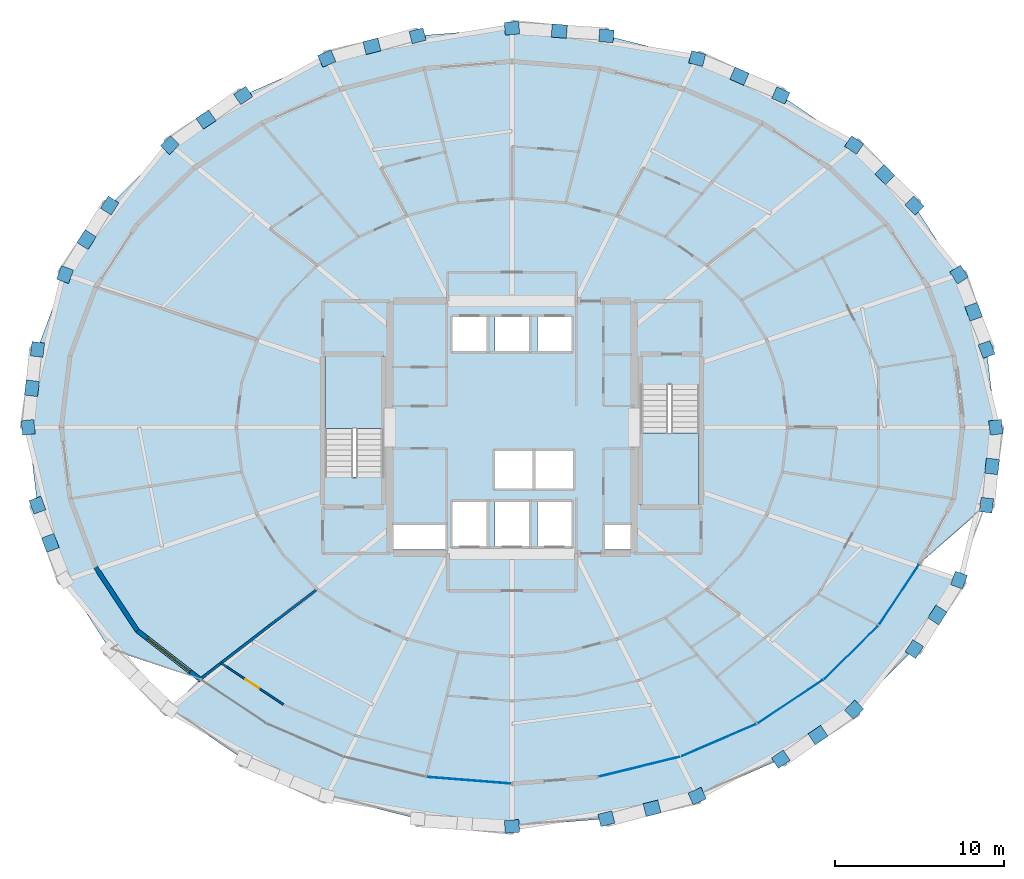
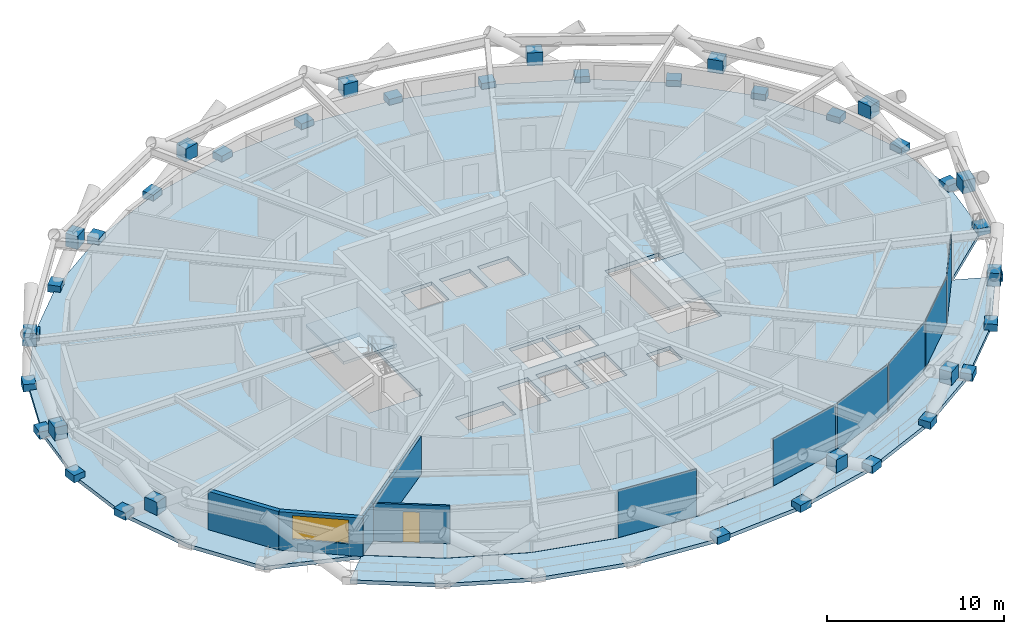
# One storey, part 10 of 17: 45 plates, 4 slabs, 4 walls, 1 door, 1 window, 2 openings, 4 elements without a shape of their own.
"""IFC4 building model written with IfcOpenShell, lengths in metres."""

from ifc_helpers import new_model, si_unit, direction, frame, frame_2d, origin, origin_2d, place, context, subcontext, project, spatial, polyline, rectangle, outline, extrude, material, layer, layer_set, type_object, element, fill, aggregate, save


model = new_model("IFC4")

# Units and contexts
model_context = context("Model", 3, precision=1e-05, world=origin(), true_north=direction((0.0, 1.0)))
body_context = subcontext(model_context, "Body", "Model", "MODEL_VIEW")
ifc_project = project(units=[si_unit("LENGTHUNIT", "METRE"), si_unit("AREAUNIT", "SQUARE_METRE"), si_unit("VOLUMEUNIT", "CUBIC_METRE"), si_unit("PLANEANGLEUNIT", "RADIAN"), si_unit("MASSUNIT", "GRAM", prefix="KILO")], contexts=[model_context])

# Site, building, storey
site_placement = place(None, origin())
site = spatial("IfcSite", under=ifc_project, at=site_placement, CompositionType="ELEMENT")
building_placement = place(site_placement, origin())
building = spatial("IfcBuilding", under=site, at=building_placement, Name="Veldorina Hangang Commons", CompositionType="ELEMENT")
storey_placement = place(building_placement, frame((0.0, 0.0, 55.60009765625)))
storey = spatial("IfcBuildingStorey", under=building, at=storey_placement, Name="L13", CompositionType="ELEMENT", Elevation=55.60009765625)

# Curtain wall, plate
ifc_material_1 = material(Name="Glass Low-E Triple IGU", Category="glass")
ifc_layer_1 = layer(ifc_material_1, 0.179931640625)
ifc_layer_set_1 = layer_set([ifc_layer_1], Name="Glass Low-E Triple IGU")
curtain_wall_type = type_object("IfcCurtainWallType", Name="CW-SYS-Z1", PredefinedType="NOTDEFINED", material=ifc_layer_set_1)
curtain_wall_1_placement = place(storey_placement, origin())
curtain_wall_1 = element("IfcCurtainWall", 1, at=curtain_wall_1_placement, inside=storey, type_object=curtain_wall_type, Name="L13 unitised curtain wall CW-L13-R1", PredefinedType="NOTDEFINED")
ifc_layer_2 = layer(ifc_material_1, 0.0400390625)
ifc_layer_set_2 = layer_set([ifc_layer_2], Name="Glass Low-E Triple IGU")
plate_type_1 = type_object("IfcPlateType", Name="CW-PNL-VIS", PredefinedType="CURTAIN_PANEL", material=ifc_layer_set_2)
plate_1_placement = place(storey_placement, frame((29.459716796875, 3.161376953125, 0.014892578125), z_axis=(0.0, 0.0, 1.0), x_axis=(0.996848485666, -0.079329040235, 0.0)))
plate_1 = element("IfcPlate", 2, at=plate_1_placement, type_object=plate_type_1, Name="CW-L13-R1 facet 4 glazed vision panel", PredefinedType="CURTAIN_PANEL", context=body_context, shape_type="SweptSolid", body=[
    extrude(rectangle(XDim=4.91650390625, YDim=0.0400390625, at=origin_2d()), origin(), (0.0, 0.0, 1.0), 3.27001953125),
])
aggregate(curtain_wall_1, [plate_1])

# Curtain wall, plates
curtain_wall_2_placement = place(storey_placement, origin())
curtain_wall_2 = element("IfcCurtainWall", 3, at=curtain_wall_2_placement, inside=storey, type_object=curtain_wall_type, Name="L13 unitised curtain wall CW-L13-R2", PredefinedType="NOTDEFINED")
plate_2_placement = place(storey_placement, frame((39.522705078125, 3.96240234375, 0.014892578125), z_axis=(0.0, 0.0, 1.0), x_axis=(0.97125073338, 0.238058843376, 0.0)))
plate_2 = element("IfcPlate", 4, at=plate_2_placement, type_object=plate_type_1, Name="CW-L13-R2 facet 1 glazed vision panel", PredefinedType="CURTAIN_PANEL", context=body_context, shape_type="SweptSolid", body=[
    extrude(rectangle(XDim=4.849609375, YDim=0.0400390625, at=origin_2d()), origin(), (0.0, 0.0, 1.0), 3.27001953125),
])
plate_3_placement = place(storey_placement, frame((44.21630859375, 5.533203125, 0.014892578125), z_axis=(0.0, 0.0, 1.0), x_axis=(0.918038583757, 0.396491057571, 0.0)))
plate_3 = element("IfcPlate", 5, at=plate_3_placement, type_object=plate_type_1, Name="CW-L13-R2 facet 2 glazed vision panel", PredefinedType="CURTAIN_PANEL", context=body_context, shape_type="SweptSolid", body=[
    extrude(rectangle(XDim=4.72412109375, YDim=0.0400390625, at=origin_2d()), origin(), (0.0, 0.0, 1.0), 3.27001953125),
])
plate_4_placement = place(storey_placement, frame((48.4404296875, 7.813720703125, 0.014892578125), z_axis=(0.0, 0.0, 1.0), x_axis=(0.833423139847, 0.552635386098, 0.0)))
plate_4 = element("IfcPlate", 6, at=plate_4_placement, type_object=plate_type_1, Name="CW-L13-R2 facet 3 glazed vision panel", PredefinedType="CURTAIN_PANEL", context=body_context, shape_type="SweptSolid", body=[
    extrude(rectangle(XDim=4.554931640625, YDim=0.0400390625, at=origin_2d()), origin(), (0.0, 0.0, 1.0), 3.27001953125),
])
plate_5_placement = place(storey_placement, frame((52.03271484375, 10.71630859375, 0.014892578125), z_axis=(0.0, 0.0, 1.0), x_axis=(0.712601785849, 0.701568738475, 0.0)))
plate_5 = element("IfcPlate", 7, at=plate_5_placement, type_object=plate_type_1, Name="CW-L13-R2 facet 4 glazed vision panel", PredefinedType="CURTAIN_PANEL", context=body_context, shape_type="SweptSolid", body=[
    extrude(rectangle(XDim=4.364501953125, YDim=0.0400390625, at=origin_2d()), origin(), (0.0, 0.0, 1.0), 3.27001953125),
])
plate_6_placement = place(storey_placement, frame((54.855224609375, 14.129150390625, 0.014892578125), z_axis=(0.0, 0.0, 1.0), x_axis=(0.551718655602, 0.834030290254, 0.0)))
plate_6 = element("IfcPlate", 8, at=plate_6_placement, type_object=plate_type_1, Name="CW-L13-R2 facet 5 glazed vision panel", PredefinedType="CURTAIN_PANEL", context=body_context, shape_type="SweptSolid", body=[
    extrude(rectangle(XDim=4.181640625, YDim=0.0400390625, at=origin_2d()), origin(), (0.0, 0.0, 1.0), 3.27001953125),
])
aggregate(curtain_wall_2, [plate_2, plate_3, plate_4, plate_5, plate_6])

# Plates
ifc_material_2 = material(Name="Steel SM460-TMC", Category="steel")
ifc_layer_3 = layer(ifc_material_2, 0.035888671875)
ifc_layer_set_3 = layer_set([ifc_layer_3], Name="Steel SM460-TMC")
plate_type_2 = type_object("IfcPlateType", Name="PL-STAR-36", PredefinedType="USERDEFINED", material=ifc_layer_set_3)
for number, where, z_axis, x_axis, name in (
    (9, (60.560791015625, 24.0, -0.090087890625), (0.0, 0.0, 1.0), (-0.118559941502, 0.992946897005, 0.0), "L13 diagrid star-node gusset plate 00"),
    (10, (60.011962890625, 28.596435546875, -0.090087890625), (0.0, 0.0, 1.0), (-0.345134395808, 0.93855327437, 0.0), "L13 diagrid star-node gusset plate 01"),
):
    element("IfcPlate", number, at=place(storey_placement, frame(where, z_axis=z_axis, x_axis=x_axis)), inside=storey, type_object=plate_type_2, Name=name, ObjectType="GUSSET PLATE", PredefinedType="USERDEFINED", context=body_context, shape_type="SweptSolid", body=[
        extrude(rectangle(XDim=0.85009765625, YDim=0.75, at=origin_2d()), origin(), (0.0, 0.0, 1.0), 0.5),
    ])
plate_7_placement = place(storey_placement, frame((59.252685546875, 30.822509765625, 1.345703125), z_axis=(0.0, 0.0, 1.0), x_axis=(-0.345134395808, 0.93855327437, 0.0)))
element("IfcPlate", 11, at=plate_7_placement, inside=storey, type_object=plate_type_2, Name="L13 diagrid X-crossing star-node gusset plate 01", ObjectType="GUSSET PLATE", PredefinedType="USERDEFINED", context=body_context, shape_type="SweptSolid", body=[
    extrude(rectangle(XDim=0.89990234375, YDim=0.780029296875, at=origin_2d()), origin(), (0.0, 0.0, 1.0), 0.89990234375),
])
for number, where, z_axis, x_axis, name in (
    (12, (58.38671875, 33.016357421875, -0.090087890625), (0.0, 0.0, 1.0), (-0.543760482779, 0.839240452652, 0.0), "L13 diagrid star-node gusset plate 02"),
    (13, (55.747314453125, 37.089599609375, -0.090087890625), (0.0, 0.0, 1.0), (-0.705277905649, 0.708930938669, 0.0), "L13 diagrid star-node gusset plate 03"),
):
    element("IfcPlate", number, at=place(storey_placement, frame(where, z_axis=z_axis, x_axis=x_axis)), inside=storey, type_object=plate_type_2, Name=name, ObjectType="GUSSET PLATE", PredefinedType="USERDEFINED", context=body_context, shape_type="SweptSolid", body=[
        extrude(rectangle(XDim=0.85009765625, YDim=0.75, at=origin_2d()), origin(), (0.0, 0.0, 1.0), 0.5),
    ])
plate_8_placement = place(storey_placement, frame((54.014892578125, 38.910400390625, 1.345947265625), z_axis=(0.0, 0.0, 1.0), x_axis=(-0.705277905649, 0.708930938669, 0.0)))
element("IfcPlate", 14, at=plate_8_placement, inside=storey, type_object=plate_type_2, Name="L13 diagrid X-crossing star-node gusset plate 03", ObjectType="GUSSET PLATE", PredefinedType="USERDEFINED", context=body_context, shape_type="SweptSolid", body=[
    extrude(rectangle(XDim=0.89990234375, YDim=0.780029296875, at=origin_2d()), origin(), (0.0, 0.0, 1.0), 0.89990234375),
])
for number, where, z_axis, x_axis, name in (
    (15, (52.195556640625, 40.659912109375, -0.090087890625), (0.0, 0.0, 1.0), (-0.828079904111, 0.560610089463, 0.0), "L13 diagrid star-node gusset plate 04"),
    (16, (47.867431640625, 43.590087890625, -0.090087890625), (0.0, 0.0, 1.0), (-0.915001921998, 0.403449479788, 0.0), "L13 diagrid star-node gusset plate 05"),
):
    element("IfcPlate", number, at=place(storey_placement, frame(where, z_axis=z_axis, x_axis=x_axis)), inside=storey, type_object=plate_type_2, Name=name, ObjectType="GUSSET PLATE", PredefinedType="USERDEFINED", context=body_context, shape_type="SweptSolid", body=[
        extrude(rectangle(XDim=0.85009765625, YDim=0.75, at=origin_2d()), origin(), (0.0, 0.0, 1.0), 0.5),
    ])
plate_9_placement = place(storey_placement, frame((45.425048828125, 44.72802734375, 1.346435546875), z_axis=(0.0, 0.0, 1.0), x_axis=(-0.915001921998, 0.403449479788, 0.0)))
element("IfcPlate", 17, at=plate_9_placement, inside=storey, type_object=plate_type_2, Name="L13 diagrid X-crossing star-node gusset plate 05", ObjectType="GUSSET PLATE", PredefinedType="USERDEFINED", context=body_context, shape_type="SweptSolid", body=[
    extrude(rectangle(XDim=0.89990234375, YDim=0.780029296875, at=origin_2d()), origin(), (0.0, 0.0, 1.0), 0.89990234375),
])
for number, where, z_axis, x_axis, name in (
    (18, (42.9296875, 45.76708984375, -0.090087890625), (0.0, 0.0, 1.0), (-0.970084240161, 0.242768546132, 0.0), "L13 diagrid star-node gusset plate 06"),
    (19, (37.572021484375, 47.10791015625, -0.090087890625), (0.0, 0.0, 1.0), (-0.996715582943, 0.080981767813, 0.0), "L13 diagrid star-node gusset plate 07"),
):
    element("IfcPlate", number, at=place(storey_placement, frame(where, z_axis=z_axis, x_axis=x_axis)), inside=storey, type_object=plate_type_2, Name=name, ObjectType="GUSSET PLATE", PredefinedType="USERDEFINED", context=body_context, shape_type="SweptSolid", body=[
        extrude(rectangle(XDim=0.85009765625, YDim=0.75, at=origin_2d()), origin(), (0.0, 0.0, 1.0), 0.5),
    ])
plate_10_placement = place(storey_placement, frame((34.79150390625, 47.389892578125, 1.346435546875), z_axis=(0.0, 0.0, 1.0), x_axis=(-0.996715582943, 0.080981767813, 0.0)))
element("IfcPlate", 20, at=plate_10_placement, inside=storey, type_object=plate_type_2, Name="L13 diagrid X-crossing star-node gusset plate 07", ObjectType="GUSSET PLATE", PredefinedType="USERDEFINED", context=body_context, shape_type="SweptSolid", body=[
    extrude(rectangle(XDim=0.89990234375, YDim=0.780029296875, at=origin_2d()), origin(), (0.0, 0.0, 1.0), 0.89990234375),
])
for number, where, z_axis, x_axis, name in (
    (21, (32.0, 47.560791015625, -0.090087890625), (0.0, 0.0, 1.0), (-0.996715582943, -0.080981767813, 0.0), "L13 diagrid star-node gusset plate 08"),
    (22, (26.427978515625, 47.10791015625, -0.090087890625), (0.0, 0.0, 1.0), (-0.970084240161, -0.242768546132, 0.0), "L13 diagrid star-node gusset plate 09"),
):
    element("IfcPlate", number, at=place(storey_placement, frame(where, z_axis=z_axis, x_axis=x_axis)), inside=storey, type_object=plate_type_2, Name=name, ObjectType="GUSSET PLATE", PredefinedType="USERDEFINED", context=body_context, shape_type="SweptSolid", body=[
        extrude(rectangle(XDim=0.85009765625, YDim=0.75, at=origin_2d()), origin(), (0.0, 0.0, 1.0), 0.5),
    ])
plate_11_placement = place(storey_placement, frame((23.733154296875, 46.490478515625, 1.346435546875), z_axis=(0.0, 0.0, 1.0), x_axis=(-0.970084240161, -0.242768546132, 0.0)))
element("IfcPlate", 23, at=plate_11_placement, inside=storey, type_object=plate_type_2, Name="L13 diagrid X-crossing star-node gusset plate 09", ObjectType="GUSSET PLATE", PredefinedType="USERDEFINED", context=body_context, shape_type="SweptSolid", body=[
    extrude(rectangle(XDim=0.89990234375, YDim=0.780029296875, at=origin_2d()), origin(), (0.0, 0.0, 1.0), 0.89990234375),
])
for number, where, z_axis, x_axis, name in (
    (24, (21.0703125, 45.76708984375, -0.090087890625), (0.0, 0.0, 1.0), (-0.915001921998, -0.403449479788, 0.0), "L13 diagrid star-node gusset plate 10"),
    (25, (16.132568359375, 43.590087890625, -0.090087890625), (0.0, 0.0, 1.0), (-0.828079904111, -0.560610089463, 0.0), "L13 diagrid star-node gusset plate 11"),
):
    element("IfcPlate", number, at=place(storey_placement, frame(where, z_axis=z_axis, x_axis=x_axis)), inside=storey, type_object=plate_type_2, Name=name, ObjectType="GUSSET PLATE", PredefinedType="USERDEFINED", context=body_context, shape_type="SweptSolid", body=[
        extrude(rectangle(XDim=0.85009765625, YDim=0.75, at=origin_2d()), origin(), (0.0, 0.0, 1.0), 0.5),
    ])
plate_12_placement = place(storey_placement, frame((13.93359375, 42.16748046875, 1.34619140625), z_axis=(0.0, 0.0, 1.0), x_axis=(-0.828079904111, -0.560610089463, 0.0)))
element("IfcPlate", 26, at=plate_12_placement, inside=storey, type_object=plate_type_2, Name="L13 diagrid X-crossing star-node gusset plate 11", ObjectType="GUSSET PLATE", PredefinedType="USERDEFINED", context=body_context, shape_type="SweptSolid", body=[
    extrude(rectangle(XDim=0.89990234375, YDim=0.780029296875, at=origin_2d()), origin(), (0.0, 0.0, 1.0), 0.89990234375),
])
for number, where, z_axis, x_axis, name in (
    (27, (11.804443359375, 40.659912109375, -0.090087890625), (0.0, 0.0, 1.0), (-0.705277905649, -0.708930938669, 0.0), "L13 diagrid star-node gusset plate 12"),
    (28, (8.252685546875, 37.089599609375, -0.090087890625), (0.0, 0.0, 1.0), (-0.543760482779, -0.839240452652, 0.0), "L13 diagrid star-node gusset plate 13"),
):
    element("IfcPlate", number, at=place(storey_placement, frame(where, z_axis=z_axis, x_axis=x_axis)), inside=storey, type_object=plate_type_2, Name=name, ObjectType="GUSSET PLATE", PredefinedType="USERDEFINED", context=body_context, shape_type="SweptSolid", body=[
        extrude(rectangle(XDim=0.85009765625, YDim=0.75, at=origin_2d()), origin(), (0.0, 0.0, 1.0), 0.5),
    ])
plate_13_placement = place(storey_placement, frame((6.88427734375, 35.078857421875, 1.345947265625), z_axis=(0.0, 0.0, 1.0), x_axis=(-0.543760482779, -0.839240452652, 0.0)))
element("IfcPlate", 29, at=plate_13_placement, inside=storey, type_object=plate_type_2, Name="L13 diagrid X-crossing star-node gusset plate 13", ObjectType="GUSSET PLATE", PredefinedType="USERDEFINED", context=body_context, shape_type="SweptSolid", body=[
    extrude(rectangle(XDim=0.89990234375, YDim=0.780029296875, at=origin_2d()), origin(), (0.0, 0.0, 1.0), 0.89990234375),
])
for number, where, z_axis, x_axis, name in (
    (30, (5.61328125, 33.016357421875, -0.090087890625), (0.0, 0.0, 1.0), (-0.345134395808, -0.93855327437, 0.0), "L13 diagrid star-node gusset plate 14"),
    (31, (3.988037109375, 28.596435546875, -0.090087890625), (0.0, 0.0, 1.0), (-0.118559941502, -0.992946897005, 0.0), "L13 diagrid star-node gusset plate 15"),
):
    element("IfcPlate", number, at=place(storey_placement, frame(where, z_axis=z_axis, x_axis=x_axis)), inside=storey, type_object=plate_type_2, Name=name, ObjectType="GUSSET PLATE", PredefinedType="USERDEFINED", context=body_context, shape_type="SweptSolid", body=[
        extrude(rectangle(XDim=0.85009765625, YDim=0.75, at=origin_2d()), origin(), (0.0, 0.0, 1.0), 0.5),
    ])
plate_14_placement = place(storey_placement, frame((3.658447265625, 26.3037109375, 1.345703125), z_axis=(0.0, 0.0, 1.0), x_axis=(-0.118559941502, -0.992946897005, 0.0)))
element("IfcPlate", 32, at=plate_14_placement, inside=storey, type_object=plate_type_2, Name="L13 diagrid X-crossing star-node gusset plate 15", ObjectType="GUSSET PLATE", PredefinedType="USERDEFINED", context=body_context, shape_type="SweptSolid", body=[
    extrude(rectangle(XDim=0.89990234375, YDim=0.780029296875, at=origin_2d()), origin(), (0.0, 0.0, 1.0), 0.89990234375),
])
for number, where, z_axis, x_axis, name in (
    (33, (3.439208984375, 24.0, -0.090087890625), (0.0, 0.0, 1.0), (0.118559941502, -0.992946897005, 0.0), "L13 diagrid star-node gusset plate 16"),
    (34, (3.988037109375, 19.403564453125, -0.090087890625), (0.0, 0.0, 1.0), (0.345134395808, -0.93855327437, 0.0), "L13 diagrid star-node gusset plate 17"),
):
    element("IfcPlate", number, at=place(storey_placement, frame(where, z_axis=z_axis, x_axis=x_axis)), inside=storey, type_object=plate_type_2, Name=name, ObjectType="GUSSET PLATE", PredefinedType="USERDEFINED", context=body_context, shape_type="SweptSolid", body=[
        extrude(rectangle(XDim=0.85009765625, YDim=0.75, at=origin_2d()), origin(), (0.0, 0.0, 1.0), 0.5),
    ])
plate_15_placement = place(storey_placement, frame((4.747314453125, 17.177490234375, 1.345703125), z_axis=(0.0, 0.0, 1.0), x_axis=(0.345134395808, -0.93855327437, 0.0)))
element("IfcPlate", 35, at=plate_15_placement, inside=storey, type_object=plate_type_2, Name="L13 diagrid X-crossing star-node gusset plate 17", ObjectType="GUSSET PLATE", PredefinedType="USERDEFINED", context=body_context, shape_type="SweptSolid", body=[
    extrude(rectangle(XDim=0.89990234375, YDim=0.780029296875, at=origin_2d()), origin(), (0.0, 0.0, 1.0), 0.89990234375),
])
for number, where, z_axis, x_axis, name in (
    (36, (32.0, 0.439208984375, -0.090087890625), (0.0, 0.0, 1.0), (0.996715582943, 0.080981767813, 0.0), "L13 diagrid star-node gusset plate 24"),
    (37, (37.572021484375, 0.89208984375, -0.090087890625), (0.0, 0.0, 1.0), (0.970084240161, 0.242768546132, 0.0), "L13 diagrid star-node gusset plate 25"),
):
    element("IfcPlate", number, at=place(storey_placement, frame(where, z_axis=z_axis, x_axis=x_axis)), inside=storey, type_object=plate_type_2, Name=name, ObjectType="GUSSET PLATE", PredefinedType="USERDEFINED", context=body_context, shape_type="SweptSolid", body=[
        extrude(rectangle(XDim=0.85009765625, YDim=0.75, at=origin_2d()), origin(), (0.0, 0.0, 1.0), 0.5),
    ])
plate_16_placement = place(storey_placement, frame((40.266845703125, 1.509521484375, 1.346435546875), z_axis=(0.0, 0.0, 1.0), x_axis=(0.970084240161, 0.242768546132, 0.0)))
element("IfcPlate", 38, at=plate_16_placement, inside=storey, type_object=plate_type_2, Name="L13 diagrid X-crossing star-node gusset plate 25", ObjectType="GUSSET PLATE", PredefinedType="USERDEFINED", context=body_context, shape_type="SweptSolid", body=[
    extrude(rectangle(XDim=0.89990234375, YDim=0.780029296875, at=origin_2d()), origin(), (0.0, 0.0, 1.0), 0.89990234375),
])
for number, where, z_axis, x_axis, name in (
    (39, (42.9296875, 2.23291015625, -0.090087890625), (0.0, 0.0, 1.0), (0.915001921998, 0.403449479788, 0.0), "L13 diagrid star-node gusset plate 26"),
    (40, (47.867431640625, 4.409912109375, -0.090087890625), (0.0, 0.0, 1.0), (0.828079904111, 0.560610089463, 0.0), "L13 diagrid star-node gusset plate 27"),
):
    element("IfcPlate", number, at=place(storey_placement, frame(where, z_axis=z_axis, x_axis=x_axis)), inside=storey, type_object=plate_type_2, Name=name, ObjectType="GUSSET PLATE", PredefinedType="USERDEFINED", context=body_context, shape_type="SweptSolid", body=[
        extrude(rectangle(XDim=0.85009765625, YDim=0.75, at=origin_2d()), origin(), (0.0, 0.0, 1.0), 0.5),
    ])
plate_17_placement = place(storey_placement, frame((50.06640625, 5.83251953125, 1.34619140625), z_axis=(0.0, 0.0, 1.0), x_axis=(0.828079904111, 0.560610089463, 0.0)))
element("IfcPlate", 41, at=plate_17_placement, inside=storey, type_object=plate_type_2, Name="L13 diagrid X-crossing star-node gusset plate 27", ObjectType="GUSSET PLATE", PredefinedType="USERDEFINED", context=body_context, shape_type="SweptSolid", body=[
    extrude(rectangle(XDim=0.89990234375, YDim=0.780029296875, at=origin_2d()), origin(), (0.0, 0.0, 1.0), 0.89990234375),
])
for number, where, z_axis, x_axis, name in (
    (42, (52.195556640625, 7.340087890625, -0.090087890625), (0.0, 0.0, 1.0), (0.705277905649, 0.708930938669, 0.0), "L13 diagrid star-node gusset plate 28"),
    (43, (55.747314453125, 10.910400390625, -0.090087890625), (0.0, 0.0, 1.0), (0.543760482779, 0.839240452652, 0.0), "L13 diagrid star-node gusset plate 29"),
):
    element("IfcPlate", number, at=place(storey_placement, frame(where, z_axis=z_axis, x_axis=x_axis)), inside=storey, type_object=plate_type_2, Name=name, ObjectType="GUSSET PLATE", PredefinedType="USERDEFINED", context=body_context, shape_type="SweptSolid", body=[
        extrude(rectangle(XDim=0.85009765625, YDim=0.75, at=origin_2d()), origin(), (0.0, 0.0, 1.0), 0.5),
    ])
plate_18_placement = place(storey_placement, frame((57.11572265625, 12.921142578125, 1.345947265625), z_axis=(0.0, 0.0, 1.0), x_axis=(0.543760482779, 0.839240452652, 0.0)))
element("IfcPlate", 44, at=plate_18_placement, inside=storey, type_object=plate_type_2, Name="L13 diagrid X-crossing star-node gusset plate 29", ObjectType="GUSSET PLATE", PredefinedType="USERDEFINED", context=body_context, shape_type="SweptSolid", body=[
    extrude(rectangle(XDim=0.89990234375, YDim=0.780029296875, at=origin_2d()), origin(), (0.0, 0.0, 1.0), 0.89990234375),
])
for number, where, z_axis, x_axis, name in (
    (45, (58.38671875, 14.983642578125, -0.090087890625), (0.0, 0.0, 1.0), (0.345134395808, 0.93855327437, 0.0), "L13 diagrid star-node gusset plate 30"),
    (46, (60.011962890625, 19.403564453125, -0.090087890625), (0.0, 0.0, 1.0), (0.118559941502, 0.992946897005, 0.0), "L13 diagrid star-node gusset plate 31"),
):
    element("IfcPlate", number, at=place(storey_placement, frame(where, z_axis=z_axis, x_axis=x_axis)), inside=storey, type_object=plate_type_2, Name=name, ObjectType="GUSSET PLATE", PredefinedType="USERDEFINED", context=body_context, shape_type="SweptSolid", body=[
        extrude(rectangle(XDim=0.85009765625, YDim=0.75, at=origin_2d()), origin(), (0.0, 0.0, 1.0), 0.5),
    ])
plate_19_placement = place(storey_placement, frame((60.341552734375, 21.6962890625, 1.345703125), z_axis=(0.0, 0.0, 1.0), x_axis=(0.118559941502, 0.992946897005, 0.0)))
element("IfcPlate", 47, at=plate_19_placement, inside=storey, type_object=plate_type_2, Name="L13 diagrid X-crossing star-node gusset plate 31", ObjectType="GUSSET PLATE", PredefinedType="USERDEFINED", context=body_context, shape_type="SweptSolid", body=[
    extrude(rectangle(XDim=0.89990234375, YDim=0.780029296875, at=origin_2d()), origin(), (0.0, 0.0, 1.0), 0.89990234375),
])

# Slabs
ifc_material_3 = material(Name="Concrete C40/50", Category="concrete")
ifc_layer_4 = layer(ifc_material_3, 0.260009765625)
ifc_layer_set_4 = layer_set([ifc_layer_4], Name="Concrete C40/50")
slab_type_1 = type_object("IfcSlabType", Name="SL-FLR-260", PredefinedType="FLOOR", material=ifc_layer_set_4)
slab_1_placement = place(storey_placement, frame((0.0, 0.0, -0.260009765625)))
element("IfcSlab", 48, at=slab_1_placement, inside=storey, type_object=slab_type_1, Name="L13 tower structural floor slab", PredefinedType="FLOOR", context=body_context, shape_type="SweptSolid", body=[
    extrude(outline(polyline([(60.560791015625, 24.0), (60.011962890625, 28.596435546875), (58.38671875, 33.016357421875), (55.747314453125, 37.089599609375), (52.195556640625, 40.659912109375), (47.867431640625, 43.590087890625), (42.9296875, 45.76708984375), (37.572021484375, 47.10791015625), (32.0, 47.560791015625), (26.427978515625, 47.10791015625), (21.0703125, 45.76708984375), (16.132568359375, 43.590087890625), (11.804443359375, 40.659912109375), (8.252685546875, 37.089599609375), (5.61328125, 33.016357421875), (3.988037109375, 28.596435546875), (3.439208984375, 24.0), (3.988037109375, 19.403564453125), (5.61328125, 14.983642578125), (8.252685546875, 10.910400390625), (13.58642578125, 9.1220703125), (17.53271484375, 6.50537109375), (22.03466796875, 4.560791015625), (26.919677734375, 3.363525390625), (32.0, 2.959228515625), (37.080322265625, 3.363525390625), (41.96533203125, 4.560791015625), (46.46728515625, 6.50537109375), (50.41357421875, 9.1220703125), (53.652099609375, 12.310302734375), (56.05859375, 15.947998046875), (60.011962890625, 19.403564453125), (60.560791015625, 24.0)]), holes=[polyline([(20.949951171875, 21.05810546875), (20.949951171875, 28.199951171875), (24.449951171875, 28.199951171875), (24.449951171875, 21.05810546875), (20.949951171875, 21.05810546875)]), polyline([(43.050048828125, 26.5419921875), (43.050048828125, 19.39990234375), (39.550048828125, 19.39990234375), (39.550048828125, 26.5419921875), (43.050048828125, 26.5419921875)]), polyline([(28.5, 30.5), (30.5, 30.5), (30.5, 28.5), (28.5, 28.5), (28.5, 30.5)]), polyline([(31.0, 30.5), (33.0, 30.5), (33.0, 28.5), (31.0, 28.5), (31.0, 30.5)]), polyline([(33.5, 30.5), (35.5, 30.5), (35.5, 28.5), (33.5, 28.5), (33.5, 30.5)]), polyline([(31.0, 22.60009765625), (33.199951171875, 22.60009765625), (33.199951171875, 20.39990234375), (31.0, 20.39990234375), (31.0, 22.60009765625)]), polyline([(33.39990234375, 22.60009765625), (35.60009765625, 22.60009765625), (35.60009765625, 20.39990234375), (33.39990234375, 20.39990234375), (33.39990234375, 22.60009765625)]), polyline([(28.5, 19.60009765625), (30.5, 19.60009765625), (30.5, 17.0), (28.5, 17.0), (28.5, 19.60009765625)]), polyline([(31.0, 19.60009765625), (33.0, 19.60009765625), (33.0, 17.0), (31.0, 17.0), (31.0, 19.60009765625)]), polyline([(33.5, 19.60009765625), (35.5, 19.60009765625), (35.5, 17.0), (33.5, 17.0), (33.5, 19.60009765625)]), polyline([(25.0, 18.25), (28.10009765625, 18.25), (28.10009765625, 16.800048828125), (25.0, 16.800048828125), (25.0, 18.25)]), polyline([(37.449951171875, 18.25), (39.0, 18.25), (39.0, 16.800048828125), (37.449951171875, 16.800048828125), (37.449951171875, 18.25)])]), origin(), (0.0, 0.0, 1.0), 0.260009765625),
])
slab_2_placement = place(storey_placement, frame((0.0, 0.0, -0.260009765625)))
element("IfcSlab", 49, at=slab_2_placement, inside=storey, type_object=slab_type_1, Name="L13 sky-garden loggia outdoor slab", PredefinedType="FLOOR", context=body_context, shape_type="SweptSolid", body=[
    extrude(outline(polyline([(58.38671875, 14.983642578125), (55.747314453125, 10.910400390625), (52.195556640625, 7.340087890625), (47.867431640625, 4.409912109375), (42.9296875, 2.23291015625), (37.572021484375, 0.89208984375), (32.0, 0.439208984375), (26.427978515625, 0.89208984375), (21.0703125, 2.23291015625), (16.132568359375, 4.409912109375), (11.804443359375, 7.340087890625), (13.57470703125, 9.110107421875), (13.579833984375, 9.1083984375), (17.5244140625, 6.492919921875), (17.525390625, 6.4921875), (17.526611328125, 6.491455078125), (22.02880859375, 4.547119140625), (22.02978515625, 4.546630859375), (22.031005859375, 4.54638671875), (26.916015625, 3.34912109375), (26.917236328125, 3.348876953125), (26.91845703125, 3.3486328125), (31.998779296875, 2.9443359375), (32.0, 2.9443359375), (32.001220703125, 2.9443359375), (37.08154296875, 3.3486328125), (37.082763671875, 3.348876953125), (37.083984375, 3.34912109375), (41.968994140625, 4.54638671875), (41.97021484375, 4.546630859375), (41.97119140625, 4.547119140625), (46.473388671875, 6.491455078125), (46.474609375, 6.4921875), (46.4755859375, 6.492919921875), (50.421875, 9.109619140625), (50.423095703125, 9.1103515625), (50.424072265625, 9.111328125), (53.66259765625, 12.2998046875), (53.663818359375, 12.30078125), (53.66455078125, 12.302001953125), (56.06982421875, 15.93798828125), (56.073974609375, 15.941650390625), (58.38671875, 14.983642578125)])), origin(), (0.0, 0.0, 1.0), 0.260009765625),
])

# Stair, slab
stair_type = type_object("IfcStairType", Name="STR-DOG-1650-20R", PredefinedType="HALF_TURN_STAIR", material=ifc_material_3)
stair_1_placement = place(storey_placement, origin())
stair_1 = element("IfcStair", 50, at=stair_1_placement, inside=storey, type_object=stair_type, Name="L13 Exit stair ST-1", PredefinedType="HALF_TURN_STAIR")
ifc_layer_5 = layer(ifc_material_3, 0.199951171875)
ifc_layer_set_5 = layer_set([ifc_layer_5], Name="Concrete C40/50")
slab_type_2 = type_object("IfcSlabType", Name="SL-LND-200", PredefinedType="LANDING", material=ifc_layer_set_5)
slab_3_placement = place(storey_placement, frame((0.0, 0.0, 1.599853515625)))
slab_3 = element("IfcSlab", 51, at=slab_3_placement, type_object=slab_type_2, Name="ST-1 landing 1", PredefinedType="LANDING", context=body_context, shape_type="SweptSolid", body=[
    extrude(outline(polyline([(24.449951171875, 23.929931640625), (24.449951171875, 28.199951171875), (20.949951171875, 28.199951171875), (20.949951171875, 23.929931640625), (24.449951171875, 23.929931640625)])), origin(), (0.0, 0.0, 1.0), 0.199951171875),
])
aggregate(stair_1, [slab_3])

stair_2_placement = place(storey_placement, origin())
stair_2 = element("IfcStair", 52, at=stair_2_placement, inside=storey, type_object=stair_type, Name="L13 Exit stair ST-2", PredefinedType="HALF_TURN_STAIR")
slab_4_placement = place(storey_placement, frame((0.0, 0.0, 1.599853515625)))
slab_4 = element("IfcSlab", 53, at=slab_4_placement, type_object=slab_type_2, Name="ST-2 landing 1", PredefinedType="LANDING", context=body_context, shape_type="SweptSolid", body=[
    extrude(outline(polyline([(39.550048828125, 23.669921875), (39.550048828125, 19.39990234375), (43.050048828125, 19.39990234375), (43.050048828125, 23.669921875), (39.550048828125, 23.669921875)])), origin(), (0.0, 0.0, 1.0), 0.199951171875),
])
aggregate(stair_2, [slab_4])

# Wall
ifc_material_4 = material(Name="Stone Roman Travertine", Category="masonry")
ifc_layer_6 = layer(ifc_material_4, 0.280029296875)
ifc_layer_set_6 = layer_set([ifc_layer_6], Name="Stone Roman Travertine")
wall_type_1 = type_object("IfcWallType", Name="EW-TRAV-280", PredefinedType="STANDARD", material=ifc_layer_set_6)
wall_1_placement = place(storey_placement, frame((7.42431640625, 15.73388671875, 0.0), z_axis=(0.0, 0.0, 1.0), x_axis=(0.549775955505, -0.835312156471, 0.0)))
element("IfcWall", 54, at=wall_1_placement, inside=storey, type_object=wall_type_1, Name="L13 travertine facade wall 18", PredefinedType="STANDARD", context=body_context, shape_type="SweptSolid", body=[
    extrude(rectangle(XDim=4.470947265625, YDim=0.280029296875, at=frame_2d((2.2353515625, 0.0))), origin(), (0.0, 0.0, 1.0), 2.64990234375),
])

# Wall, opening, window
wall_2_placement = place(storey_placement, frame((9.88232421875, 11.999267578125, 0.0), z_axis=(0.0, 0.0, 1.0), x_axis=(0.789753385281, -0.613424478186, 0.0)))
wall_2 = element("IfcWall", 55, at=wall_2_placement, inside=storey, type_object=wall_type_1, Name="L13 travertine facade wall 19", PredefinedType="STANDARD", context=body_context, shape_type="SweptSolid", body=[
    extrude(rectangle(XDim=4.7822265625, YDim=0.280029296875, at=frame_2d((2.39111328125, 0.0))), origin(), (0.0, 0.0, 1.0), 2.64990234375),
])
opening_1_placement = place(wall_2_placement, frame((0.7451171875, 0.0, 0.800048828125)))
opening_1 = element("IfcOpeningElement", 56, at=opening_1_placement, cuts=wall_2, Name="Opening W-01", PredefinedType="OPENING", context=body_context, shape_type="SweptSolid", body=[
    extrude(rectangle(XDim=3.199951171875, YDim=1.64990234375, at=frame_2d((1.60009765625, 0.824951171875))), frame((0.0, 0.14990234375, 0.0), z_axis=(0.0, -1.0, 0.0), x_axis=(1.0, 0.0, 0.0)), (0.0, 0.0, 1.0), 0.300048828125),
])
window_type = type_object("IfcWindowType", Name="WIN-TWR-3200", PartitioningType="SINGLE_PANEL", PredefinedType="WINDOW", material=ifc_material_1)
window_placement = place(opening_1_placement, origin())
window = element("IfcWindow", 57, at=window_placement, inside=storey, type_object=window_type, Name="L13 facade window 19", OverallHeight=1.64990234375, OverallWidth=3.199951171875, PartitioningType="SINGLE_PANEL", PredefinedType="WINDOW", context=body_context, shape_type="SweptSolid", body=[
    extrude(rectangle(XDim=3.199951171875, YDim=1.64990234375, at=frame_2d((1.60009765625, 0.824951171875))), frame((0.0, 0.030029296875, 0.0), z_axis=(0.0, -1.0, 0.0), x_axis=(1.0, 0.0, 0.0)), (0.0, 0.0, 1.0), 0.06005859375),
])
fill(opening_1, window)

# Wall
ifc_material_5 = material(Name="Gypsum Fire-Rated Twin Stud Wall", Category="gypsum")
ifc_layer_7 = layer(ifc_material_5, 0.159912109375)
ifc_layer_set_7 = layer_set([ifc_layer_7], Name="Gypsum Fire-Rated Twin Stud Wall")
wall_type_2 = type_object("IfcWallType", Name="WL-FIRE-160", PredefinedType="SOLIDWALL", material=ifc_layer_set_7)
wall_3_placement = place(storey_placement, frame((20.492431640625, 14.44140625, 0.0), z_axis=(0.0, 0.0, 1.0), x_axis=(-0.792237430117, -0.610212958173, 0.0)))
element("IfcWall", 58, at=wall_3_placement, inside=storey, type_object=wall_type_2, Name="L13 Unit party wall 20 113", PredefinedType="SOLIDWALL", context=body_context, shape_type="SweptSolid", body=[
    extrude(rectangle(XDim=8.667236328125, YDim=0.159912109375, at=frame_2d((4.33349609375, 0.0))), origin(), (0.0, 0.0, 1.0), 2.60986328125),
])

# Wall, opening, door
ifc_material_6 = material(Name="Gypsum Acoustic Stud Partition", Category="gypsum")
ifc_layer_8 = layer(ifc_material_6, 0.1201171875)
ifc_layer_set_8 = layer_set([ifc_layer_8], Name="Gypsum Acoustic Stud Partition")
wall_type_3 = type_object("IfcWallType", Name="WL-PART-120", PredefinedType="PARTITIONING", material=ifc_layer_set_8)
wall_4_placement = place(storey_placement, frame((14.82958984375, 10.07958984375, 0.0), z_axis=(0.0, 0.0, 1.0), x_axis=(0.832534364436, -0.553973403724, 0.0)))
wall_4 = element("IfcWall", 59, at=wall_4_placement, inside=storey, type_object=wall_type_3, Name="L13 Laundry split 0 114", PredefinedType="PARTITIONING", context=body_context, shape_type="SweptSolid", body=[
    extrude(rectangle(XDim=4.419921875, YDim=0.1201171875, at=frame_2d((2.2099609375, 0.0))), origin(), (0.0, 0.0, 1.0), 2.60986328125),
])
opening_2_placement = place(wall_4_placement, frame((1.73486328125, 0.0, 0.0)))
opening_2 = element("IfcOpeningElement", 60, at=opening_2_placement, cuts=wall_4, Name="Opening D-02", PredefinedType="OPENING", context=body_context, shape_type="SweptSolid", body=[
    extrude(rectangle(XDim=0.949951171875, YDim=2.10009765625, at=frame_2d((0.47509765625, 1.050048828125))), frame((0.0, 0.070068359375, 0.0), z_axis=(0.0, -1.0, 0.0), x_axis=(1.0, 0.0, 0.0)), (0.0, 0.0, 1.0), 0.14013671875),
])
ifc_material_7 = material(Name="Timber Solid Core Acoustic", Category="wood")
door_type = type_object("IfcDoorType", Name="DR-INT-950", OperationType="SINGLE_SWING_LEFT", PredefinedType="DOOR", material=ifc_material_7)
door_placement = place(opening_2_placement, origin())
door = element("IfcDoor", 61, at=door_placement, inside=storey, type_object=door_type, Name="L13 Resident laundry inner door 042", OperationType="SINGLE_SWING_RIGHT", OverallHeight=2.10009765625, OverallWidth=0.949951171875, PredefinedType="DOOR", context=body_context, shape_type="SweptSolid", body=[
    extrude(rectangle(XDim=0.949951171875, YDim=2.10009765625, at=frame_2d((0.47509765625, 1.050048828125))), frame((0.0, 0.02490234375, 0.0), z_axis=(0.0, -1.0, 0.0), x_axis=(1.0, 0.0, 0.0)), (0.0, 0.0, 1.0), 0.050048828125),
])
fill(opening_2, door)

save(model, "model.ifc")
